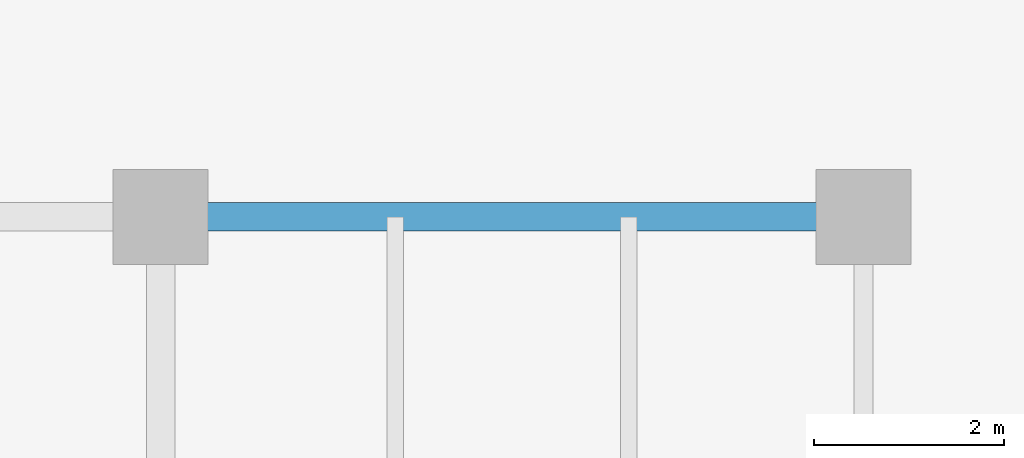
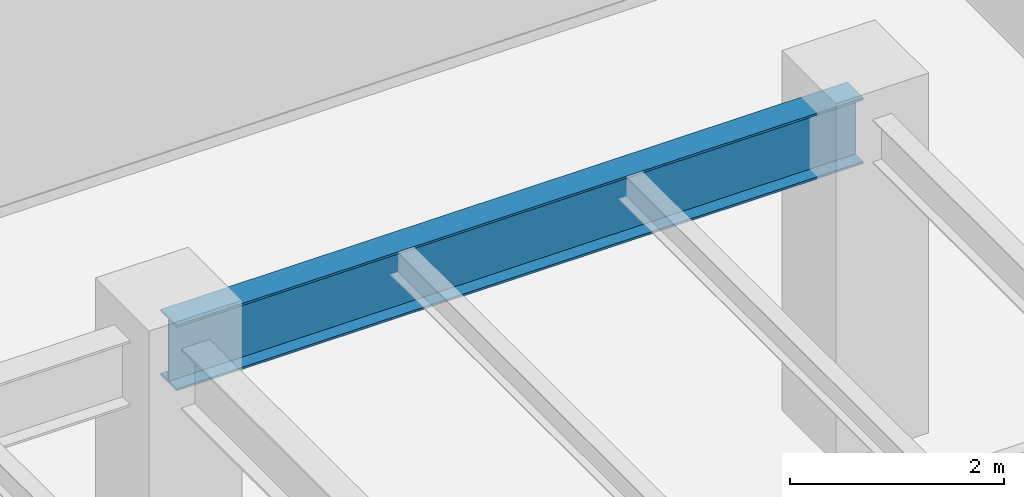
# One storey, part 21 of 35: 1 beam.
"""IFC4 building model written with IfcOpenShell, lengths in metres."""

from ifc_helpers import new_model, si_unit, direction, frame, origin, origin_2d, place, context, subcontext, project, spatial, i_section, extrude, source, transform, mapped, material, material_profile, profile_set, type_object, type_shapes, element, save


model = new_model("IFC4")

# Units and contexts
model_context = context("Model", 3, precision=1e-05, world=origin(), true_north=direction((0.0, 1.0)))
body_context = subcontext(model_context, "Body", "Model", "MODEL_VIEW")
ifc_project = project(units=[si_unit("LENGTHUNIT", "METRE"), si_unit("AREAUNIT", "SQUARE_METRE"), si_unit("VOLUMEUNIT", "CUBIC_METRE"), si_unit("PLANEANGLEUNIT", "RADIAN"), si_unit("MASSUNIT", "GRAM", prefix="KILO")], contexts=[model_context])

# Site, building, storey
site_placement = place(None, origin())
site = spatial("IfcSite", under=ifc_project, at=site_placement, CompositionType="ELEMENT")
building_placement = place(site_placement, origin())
building = spatial("IfcBuilding", under=site, at=building_placement, Name="Haelvirn Gate Laboratories", CompositionType="ELEMENT")
storey_placement = place(building_placement, frame((0.0, 0.0, 37.5)))
storey = spatial("IfcBuildingStorey", under=building, at=storey_placement, Name="L09", CompositionType="ELEMENT", Elevation=37.5)

# Beam
ifc_material = material(Name="Steel SM355", Category="steel")
ifc_material_profile = material_profile(ifc_material, i_section(OverallWidth=0.300048828125, OverallDepth=0.75, WebThickness=0.013916015625, FlangeThickness=0.02392578125, at=origin_2d()), Name="H-750x300x14x24")
ifc_profile_set = profile_set([ifc_material_profile], Name="Steel SM355")
beam_type = type_object("IfcBeamType", Name="BM-G-750", PredefinedType="BEAM", material=ifc_profile_set)
shared_shape = source(origin(), body_context, "Body", "SweptSolid", [
    extrude(i_section(OverallWidth=0.300048828125, OverallDepth=0.75, WebThickness=0.013916015625, FlangeThickness=0.02392578125, at=origin_2d()), origin(), (0.0, 0.0, 1.0), 7.39990234375),
])
type_shapes(beam_type, [shared_shape])
beam_placement = place(storey_placement, frame((60.0, 41.60009765625, 3.405029296875), z_axis=(1.0, 0.0, 0.0), x_axis=(0.0, 1.0, 0.0)))
element("IfcBeam", 1, at=beam_placement, inside=storey, type_object=beam_type, Name="L09 Primary Girder Y41.6 (60.0-67.4)", PredefinedType="BEAM", context=body_context, shape_type="MappedRepresentation", body=[
    mapped(shared_shape, transform((0.0, 0.0, 0.0), scale=1.0)),
])

save(model, "model.ifc")
